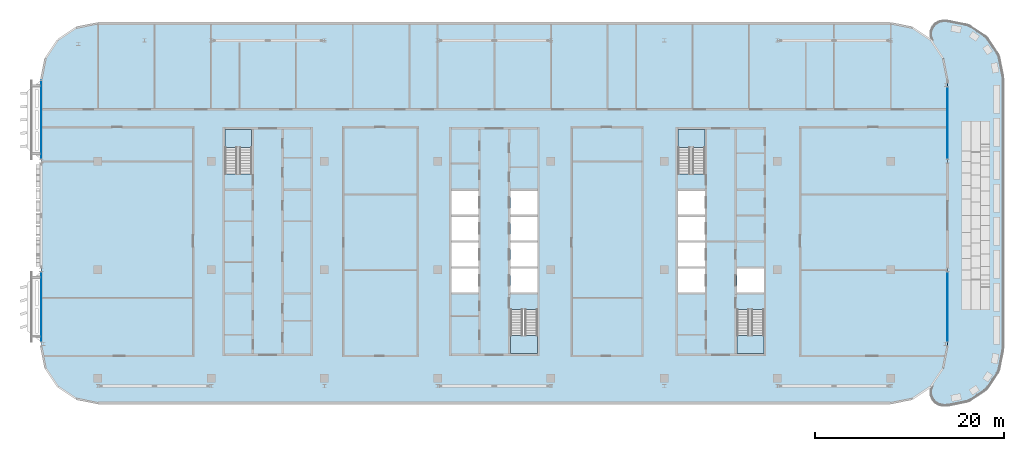
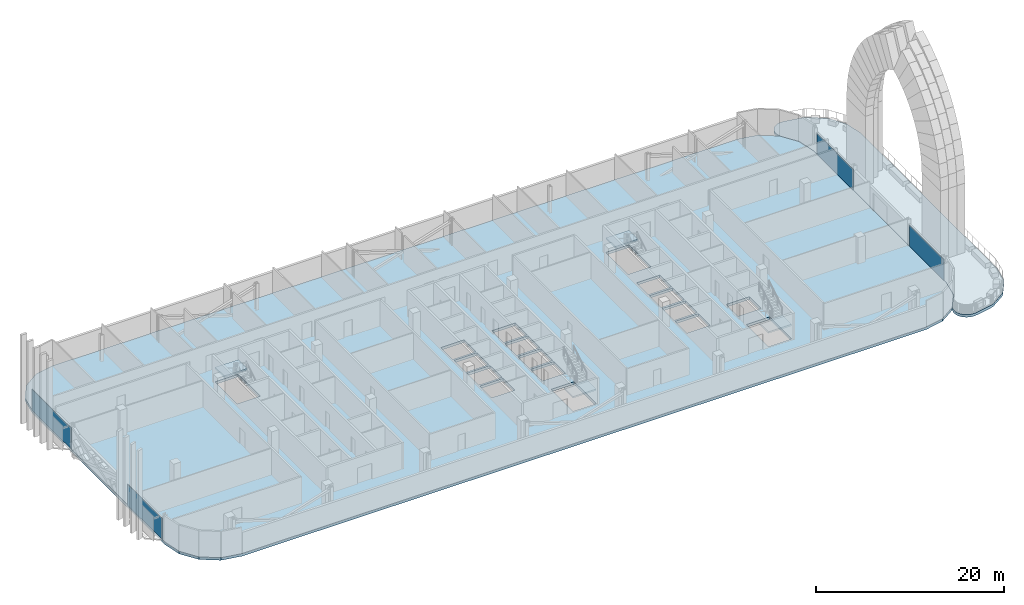
# One storey, part 10 of 30: 6 slabs, 4 plates, 8 elements without a shape of their own.
"""IFC4 building model written with IfcOpenShell, lengths in metres."""

from ifc_helpers import new_model, si_unit, direction, frame, origin, origin_2d, place, context, subcontext, project, spatial, polyline, rectangle, outline, extrude, material, layer, layer_set, type_object, element, aggregate, save


model = new_model("IFC4")

# Units and contexts
model_context = context("Model", 3, precision=1e-05, world=origin(), true_north=direction((0.0, 1.0)))
body_context = subcontext(model_context, "Body", "Model", "MODEL_VIEW")
ifc_project = project(units=[si_unit("LENGTHUNIT", "METRE"), si_unit("AREAUNIT", "SQUARE_METRE"), si_unit("VOLUMEUNIT", "CUBIC_METRE"), si_unit("PLANEANGLEUNIT", "RADIAN"), si_unit("MASSUNIT", "GRAM", prefix="KILO")], contexts=[model_context])

# Site, building, storey
site_placement = place(None, origin())
site = spatial("IfcSite", under=ifc_project, at=site_placement, CompositionType="ELEMENT")
building_placement = place(site_placement, origin())
building = spatial("IfcBuilding", under=site, at=building_placement, Name="Mahtab Terrace Research Tower", CompositionType="ELEMENT")
storey_placement = place(building_placement, frame((0.0, 0.0, 263.300048828125)))
storey = spatial("IfcBuildingStorey", under=building, at=storey_placement, Name="L64", CompositionType="ELEMENT", Elevation=263.300048828125)

# Stair, slab
ifc_material_1 = material(Name="Exit stair half-turn")
stair_type = type_object("IfcStairType", Name="Exit stair half-turn", PredefinedType="HALF_TURN_STAIR", material=ifc_material_1)
stair_1_placement = place(storey_placement, origin())
stair_1 = element("IfcStair", 1, at=stair_1_placement, inside=storey, type_object=stair_type, Name="L64 Protected exit stair ST1", PredefinedType="HALF_TURN_STAIR")
ifc_material_2 = material(Name="Concrete C40/50", Category="concrete")
ifc_layer_1 = layer(ifc_material_2, 0.199951171875)
ifc_layer_set_1 = layer_set([ifc_layer_1], Name="Exit stair landing 200")
slab_type_1 = type_object("IfcSlabType", Name="Exit stair landing 200", PredefinedType="LANDING", material=ifc_layer_set_1)
slab_1_placement = place(storey_placement, frame((0.0, 0.0, 1.699951171875)))
slab_1 = element("IfcSlab", 2, at=slab_1_placement, type_object=slab_type_1, Name="ST1 landing 1", PredefinedType="LANDING", context=body_context, shape_type="SweptSolid", body=[
    extrude(outline(polyline([(-25.699951171875, 12.97509765625), (-25.699951171875, 14.875), (-28.550048828125, 14.875), (-28.550048828125, 12.97509765625), (-25.699951171875, 12.97509765625)])), origin(), (0.0, 0.0, 1.0), 0.199951171875),
])
aggregate(stair_1, [slab_1])

stair_2_placement = place(storey_placement, origin())
stair_2 = element("IfcStair", 3, at=stair_2_placement, inside=storey, type_object=stair_type, Name="L64 Protected exit stair ST2", PredefinedType="HALF_TURN_STAIR")
slab_2_placement = place(storey_placement, frame((0.0, 0.0, 1.699951171875)))
slab_2 = element("IfcSlab", 4, at=slab_2_placement, type_object=slab_type_1, Name="ST2 landing 1", PredefinedType="LANDING", context=body_context, shape_type="SweptSolid", body=[
    extrude(outline(polyline([(1.699951171875, -6.97509765625), (1.699951171875, -8.875), (4.550048828125, -8.875), (4.550048828125, -6.97509765625), (1.699951171875, -6.97509765625)])), origin(), (0.0, 0.0, 1.0), 0.199951171875),
])
aggregate(stair_2, [slab_2])

stair_3_placement = place(storey_placement, origin())
stair_3 = element("IfcStair", 5, at=stair_3_placement, inside=storey, type_object=stair_type, Name="L64 Protected exit stair ST3", PredefinedType="HALF_TURN_STAIR")
slab_3_placement = place(storey_placement, frame((0.0, 0.0, 1.699951171875)))
slab_3 = element("IfcSlab", 6, at=slab_3_placement, type_object=slab_type_1, Name="ST3 landing 1", PredefinedType="LANDING", context=body_context, shape_type="SweptSolid", body=[
    extrude(outline(polyline([(22.300048828125, 12.97509765625), (22.300048828125, 14.875), (19.449951171875, 14.875), (19.449951171875, 12.97509765625), (22.300048828125, 12.97509765625)])), origin(), (0.0, 0.0, 1.0), 0.199951171875),
])
aggregate(stair_3, [slab_3])

stair_4_placement = place(storey_placement, origin())
stair_4 = element("IfcStair", 7, at=stair_4_placement, inside=storey, type_object=stair_type, Name="L64 Protected exit stair ST4", PredefinedType="HALF_TURN_STAIR")
slab_4_placement = place(storey_placement, frame((0.0, 0.0, 1.699951171875)))
slab_4 = element("IfcSlab", 8, at=slab_4_placement, type_object=slab_type_1, Name="ST4 landing 1", PredefinedType="LANDING", context=body_context, shape_type="SweptSolid", body=[
    extrude(outline(polyline([(25.699951171875, -6.97509765625), (25.699951171875, -8.875), (28.550048828125, -8.875), (28.550048828125, -6.97509765625), (25.699951171875, -6.97509765625)])), origin(), (0.0, 0.0, 1.0), 0.199951171875),
])
aggregate(stair_4, [slab_4])

# Slabs
ifc_layer_2 = layer(ifc_material_2, 0.340087890625)
ifc_layer_set_2 = layer_set([ifc_layer_2], Name="PT flat slab 340")
slab_type_2 = type_object("IfcSlabType", Name="PT flat slab 340", PredefinedType="FLOOR", material=ifc_layer_set_2)
slab_5_placement = place(storey_placement, frame((0.0, 0.0, -0.340087890625)))
element("IfcSlab", 9, at=slab_5_placement, inside=storey, type_object=slab_type_2, Name="Floor slab L64", PredefinedType="FLOOR", context=body_context, shape_type="SweptSolid", body=[
    extrude(outline(polyline([(47.54296875, 22.407958984375), (46.242919921875, 24.35498046875), (44.2958984375, 25.655029296875), (42.0, 26.112060546875), (-42.0, 26.112060546875), (-44.2958984375, 25.655029296875), (-46.242919921875, 24.35498046875), (-47.54296875, 22.407958984375), (-48.0, 20.112060546875), (-48.0, -8.112060546875), (-47.54296875, -10.407958984375), (-46.242919921875, -12.35498046875), (-44.2958984375, -13.655029296875), (-42.0, -14.112060546875), (42.0, -14.112060546875), (44.2958984375, -13.655029296875), (46.242919921875, -12.35498046875), (47.54296875, -10.407958984375), (48.0, -8.112060546875), (48.0, 20.112060546875), (47.54296875, 22.407958984375)]), holes=[polyline([(-4.550048828125, -2.375), (-4.550048828125, 0.125), (-1.699951171875, 0.125), (-1.699951171875, -2.375), (-4.550048828125, -2.375)]), polyline([(1.699951171875, -2.375), (1.699951171875, 0.125), (4.550048828125, 0.125), (4.550048828125, -2.375), (1.699951171875, -2.375)]), polyline([(-4.550048828125, 0.375), (-4.550048828125, 2.875), (-1.699951171875, 2.875), (-1.699951171875, 0.375), (-4.550048828125, 0.375)]), polyline([(1.699951171875, 0.375), (1.699951171875, 2.875), (4.550048828125, 2.875), (4.550048828125, 0.375), (1.699951171875, 0.375)]), polyline([(-4.550048828125, 3.125), (-4.550048828125, 5.625), (-1.699951171875, 5.625), (-1.699951171875, 3.125), (-4.550048828125, 3.125)]), polyline([(1.699951171875, 3.125), (1.699951171875, 5.625), (4.550048828125, 5.625), (4.550048828125, 3.125), (1.699951171875, 3.125)]), polyline([(-4.550048828125, 5.875), (-4.550048828125, 8.375), (-1.699951171875, 8.375), (-1.699951171875, 5.875), (-4.550048828125, 5.875)]), polyline([(1.699951171875, 5.875), (1.699951171875, 8.375), (4.550048828125, 8.375), (4.550048828125, 5.875), (1.699951171875, 5.875)]), polyline([(-28.550048828125, 10.177001953125), (-28.550048828125, 14.875), (-25.699951171875, 14.875), (-25.699951171875, 10.177001953125), (-28.550048828125, 10.177001953125)]), polyline([(1.699951171875, -8.875), (1.699951171875, -4.177001953125), (4.550048828125, -4.177001953125), (4.550048828125, -8.875), (1.699951171875, -8.875)]), polyline([(25.699951171875, -8.875), (25.699951171875, -4.177001953125), (28.550048828125, -4.177001953125), (28.550048828125, -8.875), (25.699951171875, -8.875)]), polyline([(19.449951171875, -2.375), (19.449951171875, 0.125), (22.300048828125, 0.125), (22.300048828125, -2.375), (19.449951171875, -2.375)]), polyline([(25.699951171875, -2.375), (25.699951171875, 0.125), (28.550048828125, 0.125), (28.550048828125, -2.375), (25.699951171875, -2.375)]), polyline([(19.449951171875, 0.375), (19.449951171875, 2.875), (22.300048828125, 2.875), (22.300048828125, 0.375), (19.449951171875, 0.375)]), polyline([(19.449951171875, 3.125), (19.449951171875, 5.625), (22.300048828125, 5.625), (22.300048828125, 3.125), (19.449951171875, 3.125)]), polyline([(19.449951171875, 8.375), (22.300048828125, 8.375), (22.300048828125, 5.875), (19.449951171875, 5.875), (19.449951171875, 8.375)]), polyline([(19.449951171875, 14.875), (22.300048828125, 14.875), (22.300048828125, 10.177001953125), (19.449951171875, 10.177001953125), (19.449951171875, 14.875)])]), origin(), (0.0, 0.0, 1.0), 0.340087890625),
])
ifc_layer_3 = layer(ifc_material_2, 0.340087890625)
ifc_layer_set_3 = layer_set([ifc_layer_3], Name="PT terrace slab 340")
slab_type_3 = type_object("IfcSlabType", Name="PT terrace slab 340", PredefinedType="FLOOR", material=ifc_layer_set_3)
slab_6_placement = place(storey_placement, frame((0.0, 0.0, -0.340087890625)))
element("IfcSlab", 10, at=slab_6_placement, inside=storey, type_object=slab_type_3, Name="Terrace slab L64", PredefinedType="FLOOR", context=body_context, shape_type="SweptSolid", body=[
    extrude(outline(polyline([(47.52294921875, 22.43896484375), (47.5419921875, 22.406982421875), (47.550048828125, 22.3720703125), (47.992919921875, 20.14794921875), (47.998046875, 20.112060546875), (48.0, 20.074951171875), (48.0, -8.074951171875), (47.998046875, -8.112060546875), (47.992919921875, -8.14794921875), (47.550048828125, -10.3720703125), (47.5419921875, -10.406982421875), (47.52294921875, -10.43896484375), (46.385986328125, -12.139892578125), (46.31103515625, -12.26611328125), (46.248046875, -12.39892578125), (46.197998046875, -12.5380859375), (46.162109375, -12.679931640625), (46.14111328125, -12.825927734375), (46.134033203125, -12.972900390625), (46.14111328125, -13.1201171875), (46.162109375, -13.26611328125), (46.197998046875, -13.407958984375), (46.248046875, -13.547119140625), (46.31103515625, -13.679931640625), (46.385986328125, -13.805908203125), (46.47412109375, -13.925048828125), (46.572998046875, -14.033935546875), (46.681884765625, -14.133056640625), (46.800048828125, -14.219970703125), (46.926025390625, -14.2958984375), (47.05908203125, -14.35888671875), (47.197998046875, -14.407958984375), (47.341064453125, -14.444091796875), (47.486083984375, -14.466064453125), (47.634033203125, -14.472900390625), (47.85205078125, -14.472900390625), (47.9990234375, -14.466064453125), (48.14501953125, -14.444091796875), (50.0029296875, -14.073974609375), (50.14599609375, -14.0390625), (50.284912109375, -13.989013671875), (50.41796875, -13.926025390625), (50.5439453125, -13.85107421875), (51.9951171875, -12.881103515625), (52.113037109375, -12.7939453125), (52.221923828125, -12.695068359375), (52.321044921875, -12.5859375), (52.407958984375, -12.468017578125), (53.3779296875, -11.01708984375), (53.452880859375, -10.89111328125), (53.51611328125, -10.758056640625), (53.56591796875, -10.618896484375), (53.60107421875, -10.47607421875), (53.970947265625, -8.617919921875), (53.992919921875, -8.471923828125), (54.0, -8.324951171875), (54.0, 20.324951171875), (53.992919921875, 20.471923828125), (53.970947265625, 20.617919921875), (53.60107421875, 22.47607421875), (53.56591796875, 22.618896484375), (53.51611328125, 22.758056640625), (53.452880859375, 22.89111328125), (53.3779296875, 23.01708984375), (52.407958984375, 24.468017578125), (52.321044921875, 24.5859375), (52.221923828125, 24.695068359375), (52.113037109375, 24.7939453125), (51.9951171875, 24.881103515625), (50.5439453125, 25.85107421875), (50.41796875, 25.926025390625), (50.284912109375, 25.989013671875), (50.14599609375, 26.0390625), (50.0029296875, 26.073974609375), (48.14501953125, 26.444091796875), (47.9990234375, 26.466064453125), (47.85205078125, 26.472900390625), (47.634033203125, 26.472900390625), (47.486083984375, 26.466064453125), (47.341064453125, 26.444091796875), (47.197998046875, 26.407958984375), (47.05908203125, 26.35888671875), (46.926025390625, 26.2958984375), (46.800048828125, 26.219970703125), (46.681884765625, 26.133056640625), (46.572998046875, 26.033935546875), (46.47412109375, 25.925048828125), (46.385986328125, 25.805908203125), (46.31103515625, 25.679931640625), (46.248046875, 25.547119140625), (46.197998046875, 25.407958984375), (46.162109375, 25.26611328125), (46.14111328125, 25.1201171875), (46.134033203125, 24.972900390625), (46.14111328125, 24.825927734375), (46.162109375, 24.679931640625), (46.197998046875, 24.5380859375), (46.248046875, 24.39892578125), (46.31103515625, 24.26611328125), (46.385986328125, 24.139892578125), (47.52294921875, 22.43896484375)])), origin(), (0.0, 0.0, 1.0), 0.340087890625),
])

# Curtain wall, plate
ifc_material_3 = material(Name="Sky lounge full-height curtain wall")
curtain_wall_type = type_object("IfcCurtainWallType", Name="Sky lounge full-height curtain wall", PredefinedType="NOTDEFINED", material=ifc_material_3)
curtain_wall_1_placement = place(storey_placement, origin())
curtain_wall_1 = element("IfcCurtainWall", 11, at=curtain_wall_1_placement, inside=storey, type_object=curtain_wall_type, Name="EN.L64.8.8", PredefinedType="NOTDEFINED")
ifc_material_4 = material(Name="Dark glazing", Category="glass")
ifc_layer_4 = layer(ifc_material_4, 0.0400390625)
ifc_layer_set_4 = layer_set([ifc_layer_4], Name="Sky lounge full-height curtain wall glazing panel")
plate_type = type_object("IfcPlateType", Name="Sky lounge full-height curtain wall glazing panel", PredefinedType="CURTAIN_PANEL", material=ifc_layer_set_4)
plate_1_placement = place(storey_placement, frame((-48.0, 15.89990234375, 0.0), z_axis=(0.0, 0.0, 1.0), x_axis=(0.0, -1.0, 0.0)))
plate_1 = element("IfcPlate", 12, at=plate_1_placement, type_object=plate_type, Name="CWS-8 panel 1", PredefinedType="CURTAIN_PANEL", context=body_context, shape_type="SweptSolid", body=[
    extrude(rectangle(XDim=8.283935546875, YDim=0.0400390625, at=origin_2d()), origin(), (0.0, 0.0, 1.0), 2.73291015625),
])
aggregate(curtain_wall_1, [plate_1])

curtain_wall_2_placement = place(storey_placement, origin())
curtain_wall_2 = element("IfcCurtainWall", 13, at=curtain_wall_2_placement, inside=storey, type_object=curtain_wall_type, Name="EN.L64.8.10", PredefinedType="NOTDEFINED")
plate_2_placement = place(storey_placement, frame((-48.0, -3.924072265625, 0.0), z_axis=(0.0, 0.0, 1.0), x_axis=(0.0, -1.0, 0.0)))
plate_2 = element("IfcPlate", 14, at=plate_2_placement, type_object=plate_type, Name="CWS-8 panel 1", PredefinedType="CURTAIN_PANEL", context=body_context, shape_type="SweptSolid", body=[
    extrude(rectangle(XDim=7.33203125, YDim=0.0400390625, at=origin_2d()), origin(), (0.0, 0.0, 1.0), 2.73291015625),
])
aggregate(curtain_wall_2, [plate_2])

curtain_wall_3_placement = place(storey_placement, origin())
curtain_wall_3 = element("IfcCurtainWall", 15, at=curtain_wall_3_placement, inside=storey, type_object=curtain_wall_type, Name="EN.L64.18.22", PredefinedType="NOTDEFINED")
plate_3_placement = place(storey_placement, frame((48.0, -3.924072265625, 0.0), z_axis=(0.0, 0.0, 1.0), x_axis=(0.0, 1.0, 0.0)))
plate_3 = element("IfcPlate", 16, at=plate_3_placement, type_object=plate_type, Name="CWS-8 panel 1", PredefinedType="CURTAIN_PANEL", context=body_context, shape_type="SweptSolid", body=[
    extrude(rectangle(XDim=7.33203125, YDim=0.0400390625, at=origin_2d()), origin(), (0.0, 0.0, 1.0), 2.73291015625),
])
aggregate(curtain_wall_3, [plate_3])

curtain_wall_4_placement = place(storey_placement, origin())
curtain_wall_4 = element("IfcCurtainWall", 17, at=curtain_wall_4_placement, inside=storey, type_object=curtain_wall_type, Name="EN.L64.18.24", PredefinedType="NOTDEFINED")
plate_4_placement = place(storey_placement, frame((48.0, 15.552490234375, 0.0), z_axis=(0.0, 0.0, 1.0), x_axis=(0.0, 1.0, 0.0)))
plate_4 = element("IfcPlate", 18, at=plate_4_placement, type_object=plate_type, Name="CWS-8 panel 1", PredefinedType="CURTAIN_PANEL", context=body_context, shape_type="SweptSolid", body=[
    extrude(rectangle(XDim=7.589111328125, YDim=0.0400390625, at=origin_2d()), origin(), (0.0, 0.0, 1.0), 2.73291015625),
])
aggregate(curtain_wall_4, [plate_4])

save(model, "model.ifc")
